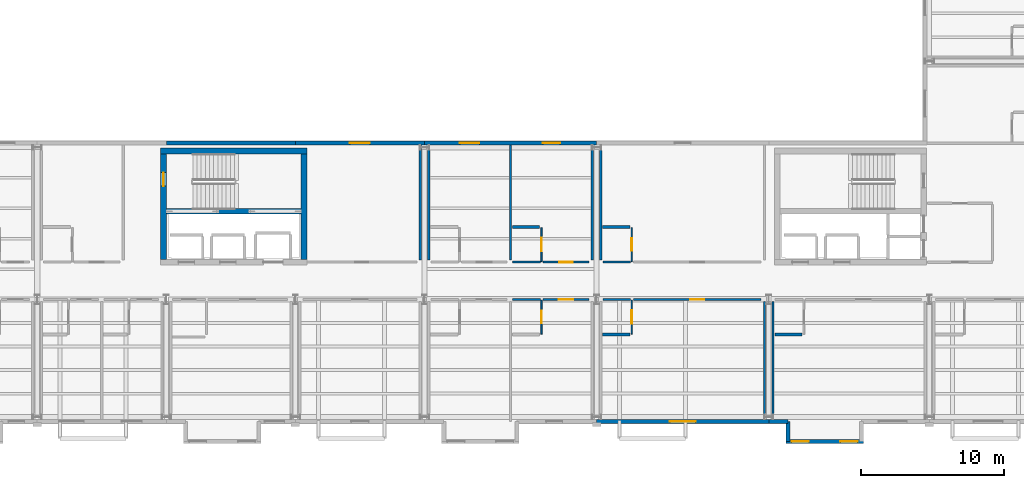
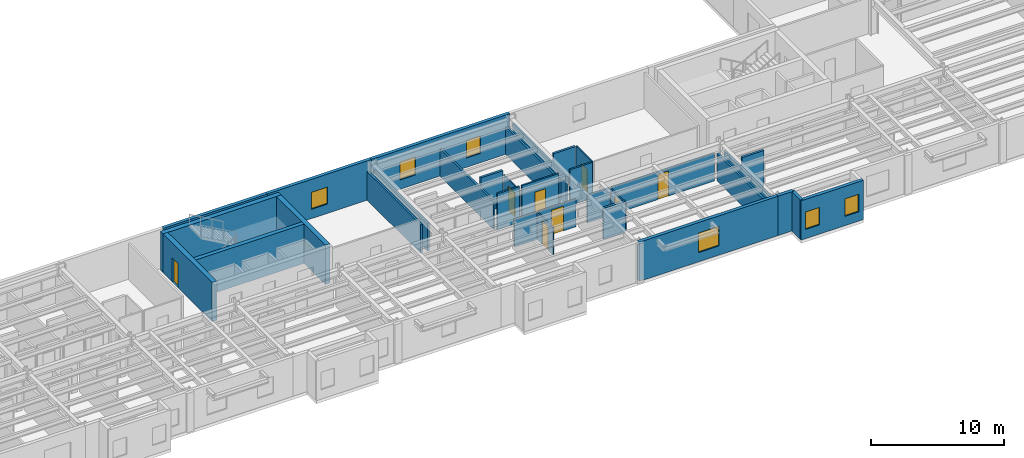
# One storey, part 17 of 27: 33 walls, 8 doors, 6 windows, 14 openings.
"""IFC4 building model written with IfcOpenShell, lengths in metres."""

from ifc_helpers import new_model, si_unit, direction, frame, frame_2d, origin, place, context, subcontext, project, spatial, rectangle, extrude, material, layer, layer_set, type_object, element, fill, save


model = new_model("IFC4")

# Units and contexts
model_context = context("Model", 3, precision=1e-05, world=origin(), true_north=direction((0.0, 1.0)))
body_context = subcontext(model_context, "Body", "Model", "MODEL_VIEW")
ifc_project = project(units=[si_unit("LENGTHUNIT", "METRE"), si_unit("AREAUNIT", "SQUARE_METRE"), si_unit("VOLUMEUNIT", "CUBIC_METRE"), si_unit("PLANEANGLEUNIT", "RADIAN"), si_unit("MASSUNIT", "GRAM", prefix="KILO")], contexts=[model_context])

# Site, building, storey
site_placement = place(None, origin())
site = spatial("IfcSite", under=ifc_project, at=site_placement, CompositionType="ELEMENT")
building_placement = place(site_placement, origin())
building = spatial("IfcBuilding", under=site, at=building_placement, Name="Sollismere Congress Hotel", CompositionType="ELEMENT")
storey_placement = place(building_placement, frame((0.0, 0.0, 27.0)))
storey = spatial("IfcBuildingStorey", under=building, at=storey_placement, Name="L06", CompositionType="ELEMENT", Elevation=27.0)

# Wall, opening, window
ifc_material_1 = material(Name="Colorado Buff Sandstone Rainscreen on Insulated Backup", Category="masonry")
ifc_layer_1 = layer(ifc_material_1, 0.284912109375, Name="Colorado Buff Sandstone Rainscreen on Insulated Backup")
ifc_layer_set_1 = layer_set([ifc_layer_1], Name="Colorado Buff Sandstone Rainscreen on Insulated Backup")
wall_type_1 = type_object("IfcWallType", Name="WL-EXT285", PredefinedType="STANDARD", material=ifc_layer_set_1)
wall_1_placement = place(storey_placement, frame((124.0, -0.31005859375, 0.0), z_axis=(0.0, 0.0, 1.0), x_axis=(1.0, 0.0, 0.0)))
wall_1 = element("IfcWall", 1, at=wall_1_placement, inside=storey, type_object=wall_type_1, Name="Exterior wall EW-L06-683", PredefinedType="STANDARD", context=body_context, shape_type="SweptSolid", body=[
    extrude(rectangle(XDim=12.0, YDim=0.284912109375, at=frame_2d((6.0, 0.0))), origin(), (0.0, 0.0, 1.0), 3.60009765625),
])
opening_1_placement = place(wall_1_placement, frame((5.10009765625, 0.0, 0.85009765625)))
opening_1 = element("IfcOpeningElement", 2, at=opening_1_placement, cuts=wall_1, Name="Opening W-L06-505", PredefinedType="OPENING", context=body_context, shape_type="SweptSolid", body=[
    extrude(rectangle(XDim=1.800048828125, YDim=1.800048828125, at=frame_2d((0.89990234375, 0.89990234375))), frame((0.0, 0.15234375, 0.0), z_axis=(0.0, -1.0, 0.0), x_axis=(1.0, 0.0, 0.0)), (0.0, 0.0, 1.0), 0.304931640625),
])
ifc_material_2 = material(Name="Thermally Broken Bronze Aluminum & Low-E Glass", Category="aluminium")
window_type_1 = type_object("IfcWindowType", Name="WN-P180x180", PartitioningType="SINGLE_PANEL", PredefinedType="WINDOW", material=ifc_material_2)
window_1_placement = place(opening_1_placement, origin())
window_1 = element("IfcWindow", 3, at=window_1_placement, inside=storey, type_object=window_type_1, Name="WIN-W-L06-505", OverallHeight=1.800048828125, OverallWidth=1.800048828125, PartitioningType="SINGLE_PANEL", PredefinedType="WINDOW", context=body_context, shape_type="SweptSolid", body=[
    extrude(rectangle(XDim=1.800048828125, YDim=1.800048828125, at=frame_2d((0.89990234375, 0.89990234375))), frame((0.0, 0.030029296875, 0.0), z_axis=(0.0, -1.0, 0.0), x_axis=(1.0, 0.0, 0.0)), (0.0, 0.0, 1.0), 0.06005859375),
])
fill(opening_1, window_1)

# Wall
wall_2_placement = place(storey_placement, frame((136.0, -0.31005859375, 0.0), z_axis=(0.0, 0.0, 1.0), x_axis=(1.0, 0.0, 0.0)))
element("IfcWall", 4, at=wall_2_placement, inside=storey, type_object=wall_type_1, Name="Exterior wall EW-L06-685", PredefinedType="STANDARD", context=body_context, shape_type="SweptSolid", body=[
    extrude(rectangle(XDim=1.340087890625, YDim=0.284912109375, at=frame_2d((0.669921875, 0.0))), origin(), (0.0, 0.0, 1.0), 3.60009765625),
])

# Wall, openings, windows
wall_3_placement = place(storey_placement, frame((137.199951171875, -1.699951171875, 0.0), z_axis=(0.0, 0.0, 1.0), x_axis=(1.0, 0.0, 0.0)))
wall_3 = element("IfcWall", 5, at=wall_3_placement, inside=storey, type_object=wall_type_1, Name="Exterior wall EW-L06-687", PredefinedType="STANDARD", context=body_context, shape_type="SweptSolid", body=[
    extrude(rectangle(XDim=5.400146484375, YDim=0.284912109375, at=frame_2d((2.7001953125, 0.0))), origin(), (0.0, 0.0, 1.0), 3.60009765625),
])
opening_2_placement = place(wall_3_placement, frame((0.39990234375, 0.0, 0.85009765625)))
opening_2 = element("IfcOpeningElement", 6, at=opening_2_placement, cuts=wall_3, Name="Opening W-L06-507", PredefinedType="OPENING", context=body_context, shape_type="SweptSolid", body=[
    extrude(rectangle(XDim=1.199951171875, YDim=1.60009765625, at=frame_2d((0.60009765625, 0.800048828125))), frame((0.0, 0.15234375, 0.0), z_axis=(0.0, -1.0, 0.0), x_axis=(1.0, 0.0, 0.0)), (0.0, 0.0, 1.0), 0.304931640625),
])
opening_3_placement = place(wall_3_placement, frame((3.800048828125, 0.0, 0.85009765625)))
opening_3 = element("IfcOpeningElement", 7, at=opening_3_placement, cuts=wall_3, Name="Opening W-L06-508", PredefinedType="OPENING", context=body_context, shape_type="SweptSolid", body=[
    extrude(rectangle(XDim=1.199951171875, YDim=1.60009765625, at=frame_2d((0.60009765625, 0.800048828125))), frame((0.0, 0.15234375, 0.0), z_axis=(0.0, -1.0, 0.0), x_axis=(1.0, 0.0, 0.0)), (0.0, 0.0, 1.0), 0.304931640625),
])
window_type_2 = type_object("IfcWindowType", Name="WN-P120x160", PartitioningType="SINGLE_PANEL", PredefinedType="WINDOW", material=ifc_material_2)
window_2_placement = place(opening_2_placement, origin())
window_2 = element("IfcWindow", 8, at=window_2_placement, inside=storey, type_object=window_type_2, Name="WIN-W-L06-507", OverallHeight=1.60009765625, OverallWidth=1.199951171875, PartitioningType="SINGLE_PANEL", PredefinedType="WINDOW", context=body_context, shape_type="SweptSolid", body=[
    extrude(rectangle(XDim=1.199951171875, YDim=1.60009765625, at=frame_2d((0.60009765625, 0.800048828125))), frame((0.0, 0.030029296875, 0.0), z_axis=(0.0, -1.0, 0.0), x_axis=(1.0, 0.0, 0.0)), (0.0, 0.0, 1.0), 0.06005859375),
])
fill(opening_2, window_2)
window_3_placement = place(opening_3_placement, origin())
window_3 = element("IfcWindow", 9, at=window_3_placement, inside=storey, type_object=window_type_2, Name="WIN-W-L06-508", OverallHeight=1.60009765625, OverallWidth=1.199951171875, PartitioningType="SINGLE_PANEL", PredefinedType="WINDOW", context=body_context, shape_type="SweptSolid", body=[
    extrude(rectangle(XDim=1.199951171875, YDim=1.60009765625, at=frame_2d((0.60009765625, 0.800048828125))), frame((0.0, 0.030029296875, 0.0), z_axis=(0.0, -1.0, 0.0), x_axis=(1.0, 0.0, 0.0)), (0.0, 0.0, 1.0), 0.06005859375),
])
fill(opening_3, window_3)

# Walls
wall_4_placement = place(storey_placement, frame((137.340087890625, -0.31005859375, 0.0), z_axis=(0.0, 0.0, 1.0), x_axis=(0.0, -1.0, 0.0)))
element("IfcWall", 10, at=wall_4_placement, inside=storey, type_object=wall_type_1, Name="Exterior wall EW-L06-688", PredefinedType="STANDARD", context=body_context, shape_type="SweptSolid", body=[
    extrude(rectangle(XDim=1.389892578125, YDim=0.284912109375, at=frame_2d((0.69482421875, 0.0))), origin(), (0.0, 0.0, 1.0), 3.60009765625),
])
wall_5_placement = place(storey_placement, frame((103.0, 19.110107421875, 0.0), z_axis=(0.0, 0.0, 1.0), x_axis=(-1.0, 0.0, 0.0)))
element("IfcWall", 11, at=wall_5_placement, inside=storey, type_object=wall_type_1, Name="Exterior wall EW-L06-723", PredefinedType="STANDARD", context=body_context, shape_type="SweptSolid", body=[
    extrude(rectangle(XDim=9.0, YDim=0.284912109375, at=frame_2d((4.5, 0.0))), origin(), (0.0, 0.0, 1.0), 3.60009765625),
])

# Wall, opening, window
wall_6_placement = place(storey_placement, frame((112.0, 19.110107421875, 0.0), z_axis=(0.0, 0.0, 1.0), x_axis=(-1.0, 0.0, 0.0)))
wall_6 = element("IfcWall", 12, at=wall_6_placement, inside=storey, type_object=wall_type_1, Name="Exterior wall EW-L06-724", PredefinedType="STANDARD", context=body_context, shape_type="SweptSolid", body=[
    extrude(rectangle(XDim=9.0, YDim=0.284912109375, at=frame_2d((4.5, 0.0))), origin(), (0.0, 0.0, 1.0), 3.60009765625),
])
opening_4_placement = place(wall_6_placement, frame((3.800048828125, 0.0, 0.85009765625)))
opening_4 = element("IfcOpeningElement", 13, at=opening_4_placement, cuts=wall_6, Name="Opening W-L06-528", PredefinedType="OPENING", context=body_context, shape_type="SweptSolid", body=[
    extrude(rectangle(XDim=1.39990234375, YDim=1.550048828125, at=frame_2d((0.699951171875, 0.77490234375))), frame((0.0, 0.15234375, 0.0), z_axis=(0.0, -1.0, 0.0), x_axis=(1.0, 0.0, 0.0)), (0.0, 0.0, 1.0), 0.304931640625),
])
window_type_3 = type_object("IfcWindowType", Name="WN-P140x155", PartitioningType="SINGLE_PANEL", PredefinedType="WINDOW", material=ifc_material_2)
window_4_placement = place(opening_4_placement, origin())
window_4 = element("IfcWindow", 14, at=window_4_placement, inside=storey, type_object=window_type_3, Name="WIN-W-L06-528", OverallHeight=1.550048828125, OverallWidth=1.39990234375, PartitioningType="SINGLE_PANEL", PredefinedType="WINDOW", context=body_context, shape_type="SweptSolid", body=[
    extrude(rectangle(XDim=1.39990234375, YDim=1.550048828125, at=frame_2d((0.699951171875, 0.77490234375))), frame((0.0, 0.030029296875, 0.0), z_axis=(0.0, -1.0, 0.0), x_axis=(1.0, 0.0, 0.0)), (0.0, 0.0, 1.0), 0.06005859375),
])
fill(opening_4, window_4)

# Wall, openings, windows
wall_7_placement = place(storey_placement, frame((124.0, 19.110107421875, 0.0), z_axis=(0.0, 0.0, 1.0), x_axis=(-1.0, 0.0, 0.0)))
wall_7 = element("IfcWall", 15, at=wall_7_placement, inside=storey, type_object=wall_type_1, Name="Exterior wall EW-L06-725", PredefinedType="STANDARD", context=body_context, shape_type="SweptSolid", body=[
    extrude(rectangle(XDim=12.0, YDim=0.284912109375, at=frame_2d((6.0, 0.0))), origin(), (0.0, 0.0, 1.0), 3.60009765625),
])
opening_5_placement = place(wall_7_placement, frame((8.175048828125, 0.0, 0.85009765625)))
opening_5 = element("IfcOpeningElement", 16, at=opening_5_placement, cuts=wall_7, Name="Opening W-L06-529", PredefinedType="OPENING", context=body_context, shape_type="SweptSolid", body=[
    extrude(rectangle(XDim=1.35009765625, YDim=1.64990234375, at=frame_2d((0.675048828125, 0.824951171875))), frame((0.0, 0.15234375, 0.0), z_axis=(0.0, -1.0, 0.0), x_axis=(1.0, 0.0, 0.0)), (0.0, 0.0, 1.0), 0.304931640625),
])
opening_6_placement = place(wall_7_placement, frame((2.550048828125, 0.0, 0.85009765625)))
opening_6 = element("IfcOpeningElement", 17, at=opening_6_placement, cuts=wall_7, Name="Opening W-L06-530", PredefinedType="OPENING", context=body_context, shape_type="SweptSolid", body=[
    extrude(rectangle(XDim=1.199951171875, YDim=1.60009765625, at=frame_2d((0.60009765625, 0.800048828125))), frame((0.0, 0.15234375, 0.0), z_axis=(0.0, -1.0, 0.0), x_axis=(1.0, 0.0, 0.0)), (0.0, 0.0, 1.0), 0.304931640625),
])
window_5_placement = place(opening_6_placement, origin())
window_5 = element("IfcWindow", 18, at=window_5_placement, inside=storey, type_object=window_type_2, Name="WIN-W-L06-530", OverallHeight=1.60009765625, OverallWidth=1.199951171875, PartitioningType="SINGLE_PANEL", PredefinedType="WINDOW", context=body_context, shape_type="SweptSolid", body=[
    extrude(rectangle(XDim=1.199951171875, YDim=1.60009765625, at=frame_2d((0.60009765625, 0.800048828125))), frame((0.0, 0.030029296875, 0.0), z_axis=(0.0, -1.0, 0.0), x_axis=(1.0, 0.0, 0.0)), (0.0, 0.0, 1.0), 0.06005859375),
])
fill(opening_6, window_5)
window_type_4 = type_object("IfcWindowType", Name="WN-P135x165", PartitioningType="SINGLE_PANEL", PredefinedType="WINDOW", material=ifc_material_2)
window_6_placement = place(opening_5_placement, origin())
window_6 = element("IfcWindow", 19, at=window_6_placement, inside=storey, type_object=window_type_4, Name="WIN-W-L06-529", OverallHeight=1.64990234375, OverallWidth=1.35009765625, PartitioningType="SINGLE_PANEL", PredefinedType="WINDOW", context=body_context, shape_type="SweptSolid", body=[
    extrude(rectangle(XDim=1.35009765625, YDim=1.64990234375, at=frame_2d((0.675048828125, 0.824951171875))), frame((0.0, 0.030029296875, 0.0), z_axis=(0.0, -1.0, 0.0), x_axis=(1.0, 0.0, 0.0)), (0.0, 0.0, 1.0), 0.06005859375),
])
fill(opening_5, window_6)

# Walls
ifc_material_3 = material(Name="Moisture-Resistant Shaft Gypsum Assembly")
ifc_layer_2 = layer(ifc_material_3, 0.199951171875, Name="Moisture-Resistant Shaft Gypsum Assembly")
ifc_layer_set_2 = layer_set([ifc_layer_2], Name="Moisture-Resistant Shaft Gypsum Assembly")
wall_type_2 = type_object("IfcWallType", Name="WL-PLM200", PredefinedType="PLUMBINGWALL", material=ifc_layer_set_2)
wall_8_placement = place(storey_placement, frame((118.1201171875, 13.25, 0.0), z_axis=(0.0, 0.0, 1.0), x_axis=(1.0, 0.0, 0.0)))
element("IfcWall", 20, at=wall_8_placement, inside=storey, type_object=wall_type_2, Name="Interior wall IW-L06-2099", PredefinedType="PLUMBINGWALL", context=body_context, shape_type="SweptSolid", body=[
    extrude(rectangle(XDim=1.909912109375, YDim=0.199951171875, at=frame_2d((0.955078125, 0.0))), origin(), (0.0, 0.0, 1.0), 3.2900390625),
])
wall_9_placement = place(storey_placement, frame((124.419921875, 5.75, 0.0), z_axis=(0.0, 0.0, 1.0), x_axis=(1.0, 0.0, 0.0)))
element("IfcWall", 21, at=wall_9_placement, inside=storey, type_object=wall_type_2, Name="Interior wall IW-L06-2105", PredefinedType="PLUMBINGWALL", context=body_context, shape_type="SweptSolid", body=[
    extrude(rectangle(XDim=1.91015625, YDim=0.199951171875, at=frame_2d((0.955078125, 0.0))), origin(), (0.0, 0.0, 1.0), 2.843017578125),
])
for number, where, z_axis, x_axis, name in (
    (22, (124.419921875, 13.25, 0.0), (0.0, 0.0, 1.0), (1.0, 0.0, 0.0), "Interior wall IW-L06-2111"),
    (23, (136.419921875, 5.75, 0.0), (0.0, 0.0, 1.0), (1.0, 0.0, 0.0), "Interior wall IW-L06-2117"),
):
    element("IfcWall", number, at=place(storey_placement, frame(where, z_axis=z_axis, x_axis=x_axis)), inside=storey, type_object=wall_type_2, Name=name, PredefinedType="PLUMBINGWALL", context=body_context, shape_type="SweptSolid", body=[
        extrude(rectangle(XDim=1.91015625, YDim=0.199951171875, at=frame_2d((0.955078125, 0.0))), origin(), (0.0, 0.0, 1.0), 3.2900390625),
    ])

# Wall, opening, door
ifc_material_4 = material(Name="Moisture-Resistant Gypsum Partition")
ifc_layer_3 = layer(ifc_material_4, 0.10009765625, Name="Moisture-Resistant Gypsum Partition")
ifc_layer_set_3 = layer_set([ifc_layer_3], Name="Moisture-Resistant Gypsum Partition")
wall_type_3 = type_object("IfcWallType", Name="WL-PRT100", PredefinedType="PARTITIONING", material=ifc_layer_set_3)
wall_10_placement = place(storey_placement, frame((120.14990234375, 5.7900390625, 0.0), z_axis=(0.0, 0.0, 1.0), x_axis=(0.0, 1.0, 0.0)))
wall_10 = element("IfcWall", 24, at=wall_10_placement, inside=storey, type_object=wall_type_3, Name="Interior wall IW-L06-2087", PredefinedType="PARTITIONING", context=body_context, shape_type="SweptSolid", body=[
    extrude(rectangle(XDim=2.369873046875, YDim=0.10009765625, at=frame_2d((1.18505859375, 0.0))), origin(), (0.0, 0.0, 1.0), 2.528076171875),
])
opening_7_placement = place(wall_10_placement, frame((0.7451171875, 0.0, 0.0)))
opening_7 = element("IfcOpeningElement", 25, at=opening_7_placement, cuts=wall_10, Name="Opening D-L06-0737", PredefinedType="OPENING", context=body_context, shape_type="SweptSolid", body=[
    extrude(rectangle(XDim=0.8798828125, YDim=2.179931640625, at=frame_2d((0.43994140625, 1.08984375))), frame((0.0, 0.06005859375, 0.0), z_axis=(0.0, -1.0, 0.0), x_axis=(1.0, 0.0, 0.0)), (0.0, 0.0, 1.0), 0.1201171875),
])
ifc_material_5 = material(Name="Moisture-Sealed Timber Bathroom Door", Category="wood")
door_type_1 = type_object("IfcDoorType", Name="DR-BT05", OperationType="NOTDEFINED", PredefinedType="DOOR", material=ifc_material_5)
door_1_placement = place(opening_7_placement, origin())
door_1 = element("IfcDoor", 26, at=door_1_placement, inside=storey, type_object=door_type_1, Name="En-suite bathroom door D-L06-0737", OperationType="SINGLE_SWING_RIGHT", OverallHeight=2.179931640625, OverallWidth=0.8798828125, PredefinedType="DOOR", context=body_context, shape_type="SweptSolid", body=[
    extrude(rectangle(XDim=0.8798828125, YDim=2.179931640625, at=frame_2d((0.43994140625, 1.08984375))), frame((0.0, 0.02490234375, 0.0), z_axis=(0.0, -1.0, 0.0), x_axis=(1.0, 0.0, 0.0)), (0.0, 0.0, 1.0), 0.050048828125),
])
fill(opening_7, door_1)

wall_11_placement = place(storey_placement, frame((120.14990234375, 10.840087890625, 0.0), z_axis=(0.0, 0.0, 1.0), x_axis=(0.0, 1.0, 0.0)))
wall_11 = element("IfcWall", 27, at=wall_11_placement, inside=storey, type_object=wall_type_3, Name="Interior wall IW-L06-2098", PredefinedType="PARTITIONING", context=body_context, shape_type="SweptSolid", body=[
    extrude(rectangle(XDim=2.369873046875, YDim=0.10009765625, at=frame_2d((1.18505859375, 0.0))), origin(), (0.0, 0.0, 1.0), 2.847900390625),
])
opening_8_placement = place(wall_11_placement, frame((0.719970703125, 0.0, 0.0)))
opening_8 = element("IfcOpeningElement", 28, at=opening_8_placement, cuts=wall_11, Name="Opening D-L06-0741", PredefinedType="OPENING", context=body_context, shape_type="SweptSolid", body=[
    extrude(rectangle(XDim=0.929931640625, YDim=2.219970703125, at=frame_2d((0.46484375, 1.10986328125))), frame((0.0, 0.06005859375, 0.0), z_axis=(0.0, -1.0, 0.0), x_axis=(1.0, 0.0, 0.0)), (0.0, 0.0, 1.0), 0.1201171875),
])
door_type_2 = type_object("IfcDoorType", Name="DR-BT07", OperationType="NOTDEFINED", PredefinedType="DOOR", material=ifc_material_5)
door_2_placement = place(opening_8_placement, origin())
door_2 = element("IfcDoor", 29, at=door_2_placement, inside=storey, type_object=door_type_2, Name="En-suite bathroom door D-L06-0741", OperationType="SINGLE_SWING_RIGHT", OverallHeight=2.219970703125, OverallWidth=0.929931640625, PredefinedType="DOOR", context=body_context, shape_type="SweptSolid", body=[
    extrude(rectangle(XDim=0.929931640625, YDim=2.219970703125, at=frame_2d((0.46484375, 1.10986328125))), frame((0.0, 0.02490234375, 0.0), z_axis=(0.0, -1.0, 0.0), x_axis=(1.0, 0.0, 0.0)), (0.0, 0.0, 1.0), 0.050048828125),
])
fill(opening_8, door_2)

wall_12_placement = place(storey_placement, frame((126.449951171875, 5.7900390625, 0.0), z_axis=(0.0, 0.0, 1.0), x_axis=(0.0, 1.0, 0.0)))
wall_12 = element("IfcWall", 30, at=wall_12_placement, inside=storey, type_object=wall_type_3, Name="Interior wall IW-L06-2104", PredefinedType="PARTITIONING", context=body_context, shape_type="SweptSolid", body=[
    extrude(rectangle(XDim=2.369873046875, YDim=0.10009765625, at=frame_2d((1.18505859375, 0.0))), origin(), (0.0, 0.0, 1.0), 2.528076171875),
])
opening_9_placement = place(wall_12_placement, frame((0.7080078125, 0.0, 0.0)))
opening_9 = element("IfcOpeningElement", 31, at=opening_9_placement, cuts=wall_12, Name="Opening D-L06-0743", PredefinedType="OPENING", context=body_context, shape_type="SweptSolid", body=[
    extrude(rectangle(XDim=0.955078125, YDim=2.219970703125, at=frame_2d((0.4775390625, 1.10986328125))), frame((0.0, 0.06005859375, 0.0), z_axis=(0.0, -1.0, 0.0), x_axis=(1.0, 0.0, 0.0)), (0.0, 0.0, 1.0), 0.1201171875),
])
door_type_3 = type_object("IfcDoorType", Name="DR-BT08", OperationType="NOTDEFINED", PredefinedType="DOOR", material=ifc_material_5)
door_3_placement = place(opening_9_placement, origin())
door_3 = element("IfcDoor", 32, at=door_3_placement, inside=storey, type_object=door_type_3, Name="En-suite bathroom door D-L06-0743", OperationType="SINGLE_SWING_RIGHT", OverallHeight=2.219970703125, OverallWidth=0.955078125, PredefinedType="DOOR", context=body_context, shape_type="SweptSolid", body=[
    extrude(rectangle(XDim=0.955078125, YDim=2.219970703125, at=frame_2d((0.4775390625, 1.10986328125))), frame((0.0, 0.02490234375, 0.0), z_axis=(0.0, -1.0, 0.0), x_axis=(1.0, 0.0, 0.0)), (0.0, 0.0, 1.0), 0.050048828125),
])
fill(opening_9, door_3)

wall_13_placement = place(storey_placement, frame((126.449951171875, 10.840087890625, 0.0), z_axis=(0.0, 0.0, 1.0), x_axis=(0.0, 1.0, 0.0)))
wall_13 = element("IfcWall", 33, at=wall_13_placement, inside=storey, type_object=wall_type_3, Name="Interior wall IW-L06-2110", PredefinedType="PARTITIONING", context=body_context, shape_type="SweptSolid", body=[
    extrude(rectangle(XDim=2.369873046875, YDim=0.10009765625, at=frame_2d((1.18505859375, 0.0))), origin(), (0.0, 0.0, 1.0), 3.2900390625),
])
opening_10_placement = place(wall_13_placement, frame((0.7451171875, 0.0, 0.0)))
opening_10 = element("IfcOpeningElement", 34, at=opening_10_placement, cuts=wall_13, Name="Opening D-L06-0745", PredefinedType="OPENING", context=body_context, shape_type="SweptSolid", body=[
    extrude(rectangle(XDim=0.8798828125, YDim=2.10009765625, at=frame_2d((0.43994140625, 1.050048828125))), frame((0.0, 0.06005859375, 0.0), z_axis=(0.0, -1.0, 0.0), x_axis=(1.0, 0.0, 0.0)), (0.0, 0.0, 1.0), 0.1201171875),
])
door_type_4 = type_object("IfcDoorType", Name="DR-BT01", OperationType="NOTDEFINED", PredefinedType="DOOR", material=ifc_material_5)
door_4_placement = place(opening_10_placement, origin())
door_4 = element("IfcDoor", 35, at=door_4_placement, inside=storey, type_object=door_type_4, Name="En-suite bathroom door D-L06-0745", OperationType="SINGLE_SWING_RIGHT", OverallHeight=2.10009765625, OverallWidth=0.8798828125, PredefinedType="DOOR", context=body_context, shape_type="SweptSolid", body=[
    extrude(rectangle(XDim=0.8798828125, YDim=2.10009765625, at=frame_2d((0.43994140625, 1.050048828125))), frame((0.0, 0.02490234375, 0.0), z_axis=(0.0, -1.0, 0.0), x_axis=(1.0, 0.0, 0.0)), (0.0, 0.0, 1.0), 0.050048828125),
])
fill(opening_10, door_4)

# Wall
ifc_material_6 = material(Name="Fire-Rated Gypsum Partition")
ifc_layer_4 = layer(ifc_material_6, 0.139892578125, Name="Fire-Rated Gypsum Partition")
ifc_layer_set_4 = layer_set([ifc_layer_4], Name="Fire-Rated Gypsum Partition")
wall_type_4 = type_object("IfcWallType", Name="WL-PRT140R", PredefinedType="PARTITIONING", material=ifc_layer_set_4)
wall_14_placement = place(storey_placement, frame((118.139892578125, 8.199951171875, 0.0), z_axis=(0.0, 0.0, 1.0), x_axis=(1.0, 0.0, 0.0)))
element("IfcWall", 36, at=wall_14_placement, inside=storey, type_object=wall_type_4, Name="Interior wall IW-L06-2084", PredefinedType="PARTITIONING", context=body_context, shape_type="SweptSolid", body=[
    extrude(rectangle(XDim=1.93017578125, YDim=0.139892578125, at=frame_2d((0.965087890625, 0.0))), origin(), (0.0, 0.0, 1.0), 2.528076171875),
])

# Wall, opening, door
wall_15_placement = place(storey_placement, frame((120.27001953125, 8.199951171875, 0.0), z_axis=(0.0, 0.0, 1.0), x_axis=(1.0, 0.0, 0.0)))
wall_15 = element("IfcWall", 37, at=wall_15_placement, inside=storey, type_object=wall_type_4, Name="Interior wall IW-L06-2085", PredefinedType="PARTITIONING", context=body_context, shape_type="SweptSolid", body=[
    extrude(rectangle(XDim=3.18994140625, YDim=0.139892578125, at=frame_2d((1.594970703125, 0.0))), origin(), (0.0, 0.0, 1.0), 2.528076171875),
])
opening_11_placement = place(wall_15_placement, frame((1.074951171875, 0.0, 0.0)))
opening_11 = element("IfcOpeningElement", 38, at=opening_11_placement, cuts=wall_15, Name="Opening D-L06-0736", PredefinedType="OPENING", context=body_context, shape_type="SweptSolid", body=[
    extrude(rectangle(XDim=1.0400390625, YDim=2.25, at=frame_2d((0.52001953125, 1.125))), frame((0.0, 0.079833984375, 0.0), z_axis=(0.0, -1.0, 0.0), x_axis=(1.0, 0.0, 0.0)), (0.0, 0.0, 1.0), 0.159912109375),
])
ifc_material_7 = material(Name="Solid-Core Acoustic Walnut Guestroom Entry Door")
door_type_5 = type_object("IfcDoorType", Name="DR-KY05", OperationType="NOTDEFINED", PredefinedType="DOOR", material=ifc_material_7)
door_5_placement = place(opening_11_placement, origin())
door_5 = element("IfcDoor", 39, at=door_5_placement, inside=storey, type_object=door_type_5, Name="Hotel room entry door D-L06-0736", OperationType="SINGLE_SWING_LEFT", OverallHeight=2.25, OverallWidth=1.0400390625, PredefinedType="DOOR", context=body_context, shape_type="SweptSolid", body=[
    extrude(rectangle(XDim=1.0400390625, YDim=2.25, at=frame_2d((0.52001953125, 1.125))), frame((0.0, 0.02490234375, 0.0), z_axis=(0.0, -1.0, 0.0), x_axis=(1.0, 0.0, 0.0)), (0.0, 0.0, 1.0), 0.050048828125),
])
fill(opening_11, door_5)

# Wall
wall_16_placement = place(storey_placement, frame((118.139892578125, 10.800048828125, 0.0), z_axis=(0.0, 0.0, 1.0), x_axis=(1.0, 0.0, 0.0)))
element("IfcWall", 40, at=wall_16_placement, inside=storey, type_object=wall_type_4, Name="Interior wall IW-L06-2095", PredefinedType="PARTITIONING", context=body_context, shape_type="SweptSolid", body=[
    extrude(rectangle(XDim=1.93017578125, YDim=0.139892578125, at=frame_2d((0.965087890625, 0.0))), origin(), (0.0, 0.0, 1.0), 3.2900390625),
])

# Wall, opening, door
wall_17_placement = place(storey_placement, frame((120.27001953125, 10.800048828125, 0.0), z_axis=(0.0, 0.0, 1.0), x_axis=(1.0, 0.0, 0.0)))
wall_17 = element("IfcWall", 41, at=wall_17_placement, inside=storey, type_object=wall_type_4, Name="Interior wall IW-L06-2096", PredefinedType="PARTITIONING", context=body_context, shape_type="SweptSolid", body=[
    extrude(rectangle(XDim=3.18994140625, YDim=0.139892578125, at=frame_2d((1.594970703125, 0.0))), origin(), (0.0, 0.0, 1.0), 3.2900390625),
])
opening_12_placement = place(wall_17_placement, frame((1.135009765625, 0.0, 0.0)))
opening_12 = element("IfcOpeningElement", 42, at=opening_12_placement, cuts=wall_17, Name="Opening D-L06-0740", PredefinedType="OPENING", context=body_context, shape_type="SweptSolid", body=[
    extrude(rectangle(XDim=0.919921875, YDim=2.300048828125, at=frame_2d((0.4599609375, 1.14990234375))), frame((0.0, 0.079833984375, 0.0), z_axis=(0.0, -1.0, 0.0), x_axis=(1.0, 0.0, 0.0)), (0.0, 0.0, 1.0), 0.159912109375),
])
door_type_6 = type_object("IfcDoorType", Name="DR-KY07", OperationType="NOTDEFINED", PredefinedType="DOOR", material=ifc_material_7)
door_6_placement = place(opening_12_placement, origin())
door_6 = element("IfcDoor", 43, at=door_6_placement, inside=storey, type_object=door_type_6, Name="Hotel room entry door D-L06-0740", OperationType="SINGLE_SWING_LEFT", OverallHeight=2.300048828125, OverallWidth=0.919921875, PredefinedType="DOOR", context=body_context, shape_type="SweptSolid", body=[
    extrude(rectangle(XDim=0.919921875, YDim=2.300048828125, at=frame_2d((0.4599609375, 1.14990234375))), frame((0.0, 0.02490234375, 0.0), z_axis=(0.0, -1.0, 0.0), x_axis=(1.0, 0.0, 0.0)), (0.0, 0.0, 1.0), 0.050048828125),
])
fill(opening_12, door_6)

# Wall
wall_18_placement = place(storey_placement, frame((124.43994140625, 8.199951171875, 0.0), z_axis=(0.0, 0.0, 1.0), x_axis=(1.0, 0.0, 0.0)))
element("IfcWall", 44, at=wall_18_placement, inside=storey, type_object=wall_type_4, Name="Interior wall IW-L06-2100", PredefinedType="PARTITIONING", context=body_context, shape_type="SweptSolid", body=[
    extrude(rectangle(XDim=1.93017578125, YDim=0.139892578125, at=frame_2d((0.965087890625, 0.0))), origin(), (0.0, 0.0, 1.0), 2.528076171875),
])

# Wall, opening, door
wall_19_placement = place(storey_placement, frame((126.570068359375, 8.199951171875, 0.0), z_axis=(0.0, 0.0, 1.0), x_axis=(1.0, 0.0, 0.0)))
wall_19 = element("IfcWall", 45, at=wall_19_placement, inside=storey, type_object=wall_type_4, Name="Interior wall IW-L06-2101", PredefinedType="PARTITIONING", context=body_context, shape_type="SweptSolid", body=[
    extrude(rectangle(XDim=8.889892578125, YDim=0.139892578125, at=frame_2d((4.44482421875, 0.0))), origin(), (0.0, 0.0, 1.0), 2.528076171875),
])
opening_13_placement = place(wall_19_placement, frame((3.969970703125, 0.0, 0.0)))
opening_13 = element("IfcOpeningElement", 46, at=opening_13_placement, cuts=wall_19, Name="Opening D-L06-0742", PredefinedType="OPENING", context=body_context, shape_type="SweptSolid", body=[
    extrude(rectangle(XDim=0.949951171875, YDim=2.300048828125, at=frame_2d((0.47509765625, 1.14990234375))), frame((0.0, 0.079833984375, 0.0), z_axis=(0.0, -1.0, 0.0), x_axis=(1.0, 0.0, 0.0)), (0.0, 0.0, 1.0), 0.159912109375),
])
door_type_7 = type_object("IfcDoorType", Name="DR-KY08", OperationType="NOTDEFINED", PredefinedType="DOOR", material=ifc_material_7)
door_7_placement = place(opening_13_placement, origin())
door_7 = element("IfcDoor", 47, at=door_7_placement, inside=storey, type_object=door_type_7, Name="Hotel room entry door D-L06-0742", OperationType="SINGLE_SWING_LEFT", OverallHeight=2.300048828125, OverallWidth=0.949951171875, PredefinedType="DOOR", context=body_context, shape_type="SweptSolid", body=[
    extrude(rectangle(XDim=0.949951171875, YDim=2.300048828125, at=frame_2d((0.47509765625, 1.14990234375))), frame((0.0, 0.02490234375, 0.0), z_axis=(0.0, -1.0, 0.0), x_axis=(1.0, 0.0, 0.0)), (0.0, 0.0, 1.0), 0.050048828125),
])
fill(opening_13, door_7)

# Walls
wall_20_placement = place(storey_placement, frame((124.43994140625, 10.800048828125, 0.0), z_axis=(0.0, 0.0, 1.0), x_axis=(1.0, 0.0, 0.0)))
element("IfcWall", 48, at=wall_20_placement, inside=storey, type_object=wall_type_4, Name="Interior wall IW-L06-2106", PredefinedType="PARTITIONING", context=body_context, shape_type="SweptSolid", body=[
    extrude(rectangle(XDim=1.93017578125, YDim=0.139892578125, at=frame_2d((0.965087890625, 0.0))), origin(), (0.0, 0.0, 1.0), 3.2900390625),
])
ifc_material_8 = material(Name="Fire-Rated Acoustic Gypsum Partition")
ifc_layer_5 = layer(ifc_material_8, 0.1650390625, Name="Fire-Rated Acoustic Gypsum Partition")
ifc_layer_set_5 = layer_set([ifc_layer_5], Name="Fire-Rated Acoustic Gypsum Partition")
wall_type_5 = type_object("IfcWallType", Name="WL-PRT165R", PredefinedType="PARTITIONING", material=ifc_layer_set_5)
for number, where, z_axis, x_axis, name in (
    (49, (112.300048828125, 10.93994140625, 0.0), (0.0, 0.0, 1.0), (0.0, 1.0, 0.0), "Interior wall IW-L06-2091"),
    (50, (118.0, 10.93994140625, 0.0), (0.0, 0.0, 1.0), (0.0, 1.0, 0.0), "Interior wall IW-L06-2092"),
    (51, (123.699951171875, 10.93994140625, 0.0), (0.0, 0.0, 1.0), (0.0, 1.0, 0.0), "Interior wall IW-L06-2097"),
):
    element("IfcWall", number, at=place(storey_placement, frame(where, z_axis=z_axis, x_axis=x_axis)), inside=storey, type_object=wall_type_5, Name=name, PredefinedType="PARTITIONING", context=body_context, shape_type="SweptSolid", body=[
        extrude(rectangle(XDim=8.012451171875, YDim=0.1650390625, at=frame_2d((4.00634765625, 0.0))), origin(), (0.0, 0.0, 1.0), 2.528076171875),
    ])
wall_21_placement = place(storey_placement, frame((135.699951171875, -0.152587890625, 0.0), z_axis=(0.0, 0.0, 1.0), x_axis=(0.0, 1.0, 0.0)))
element("IfcWall", 52, at=wall_21_placement, inside=storey, type_object=wall_type_5, Name="Interior wall IW-L06-2103", PredefinedType="PARTITIONING", context=body_context, shape_type="SweptSolid", body=[
    extrude(rectangle(XDim=8.212646484375, YDim=0.1650390625, at=frame_2d((4.1064453125, 0.0))), origin(), (0.0, 0.0, 1.0), 2.528076171875),
])
wall_22_placement = place(storey_placement, frame((124.300048828125, 10.93994140625, 0.0), z_axis=(0.0, 0.0, 1.0), x_axis=(0.0, 1.0, 0.0)))
element("IfcWall", 53, at=wall_22_placement, inside=storey, type_object=wall_type_5, Name="Interior wall IW-L06-2108", PredefinedType="PARTITIONING", context=body_context, shape_type="SweptSolid", body=[
    extrude(rectangle(XDim=8.012451171875, YDim=0.1650390625, at=frame_2d((4.00634765625, 0.0))), origin(), (0.0, 0.0, 1.0), 2.618896484375),
])
wall_23_placement = place(storey_placement, frame((136.300048828125, -0.152587890625, 0.0), z_axis=(0.0, 0.0, 1.0), x_axis=(0.0, 1.0, 0.0)))
element("IfcWall", 54, at=wall_23_placement, inside=storey, type_object=wall_type_5, Name="Interior wall IW-L06-2114", PredefinedType="PARTITIONING", context=body_context, shape_type="SweptSolid", body=[
    extrude(rectangle(XDim=8.212646484375, YDim=0.1650390625, at=frame_2d((4.1064453125, 0.0))), origin(), (0.0, 0.0, 1.0), 2.528076171875),
])
wall_24_placement = place(storey_placement, frame((111.699951171875, 10.93994140625, 0.0), z_axis=(0.0, 0.0, 1.0), x_axis=(0.0, 1.0, 0.0)))
element("IfcWall", 55, at=wall_24_placement, inside=storey, type_object=wall_type_5, Name="Interior wall IW-L06-2198", PredefinedType="PARTITIONING", context=body_context, shape_type="SweptSolid", body=[
    extrude(rectangle(XDim=8.012451171875, YDim=0.1650390625, at=frame_2d((4.00634765625, 0.0))), origin(), (0.0, 0.0, 1.0), 2.618896484375),
])
ifc_material_9 = material(Name="Concrete C50/60", Category="concrete")
ifc_layer_6 = layer(ifc_material_9, 0.35009765625, Name="Concrete C50/60")
ifc_layer_set_6 = layer_set([ifc_layer_6], Name="Concrete C50/60")
wall_type_6 = type_object("IfcWallType", Name="WL-SHR350", PredefinedType="SHEAR", material=ifc_layer_set_6)
wall_25_placement = place(storey_placement, frame((94.0, 14.35009765625, 0.0), z_axis=(0.0, 0.0, 1.0), x_axis=(1.0, 0.0, 0.0)))
element("IfcWall", 56, at=wall_25_placement, inside=storey, type_object=wall_type_6, Name="Interior wall IW-L06-0304", PredefinedType="SHEAR", context=body_context, shape_type="SweptSolid", body=[
    extrude(rectangle(XDim=9.39990234375, YDim=0.35009765625, at=frame_2d((4.699951171875, 0.0))), origin(), (0.0, 0.0, 1.0), 3.60009765625),
])
ifc_layer_7 = layer(ifc_material_9, 0.39990234375, Name="Concrete C50/60")
ifc_layer_set_7 = layer_set([ifc_layer_7], Name="Concrete C50/60")
wall_type_7 = type_object("IfcWallType", Name="WL-SHR400", PredefinedType="SHEAR", material=ifc_layer_set_7)
wall_26_placement = place(storey_placement, frame((103.800048828125, 18.550048828125, 0.0), z_axis=(0.0, 0.0, 1.0), x_axis=(-1.0, 0.0, 0.0)))
element("IfcWall", 57, at=wall_26_placement, inside=storey, type_object=wall_type_7, Name="Interior wall IW-L06-0301", PredefinedType="SHEAR", context=body_context, shape_type="SweptSolid", body=[
    extrude(rectangle(XDim=10.199951171875, YDim=0.39990234375, at=frame_2d((5.10009765625, 0.0))), origin(), (0.0, 0.0, 1.0), 3.60009765625),
])

# Wall, opening, door
wall_27_placement = place(storey_placement, frame((93.800048828125, 18.35009765625, 0.0), z_axis=(0.0, 0.0, 1.0), x_axis=(0.0, -1.0, 0.0)))
wall_27 = element("IfcWall", 58, at=wall_27_placement, inside=storey, type_object=wall_type_7, Name="Interior wall IW-L06-0302", PredefinedType="SHEAR", context=body_context, shape_type="SweptSolid", body=[
    extrude(rectangle(XDim=7.35009765625, YDim=0.39990234375, at=frame_2d((3.675048828125, 0.0))), origin(), (0.0, 0.0, 1.0), 3.60009765625),
])
opening_14_placement = place(wall_27_placement, frame((1.300048828125, 0.0, 0.0)))
opening_14 = element("IfcOpeningElement", 59, at=opening_14_placement, cuts=wall_27, Name="Opening D-ST-02-L06", PredefinedType="OPENING", context=body_context, shape_type="SweptSolid", body=[
    extrude(rectangle(XDim=0.949951171875, YDim=2.199951171875, at=frame_2d((0.47509765625, 1.10009765625))), frame((0.0, 0.2099609375, 0.0), z_axis=(0.0, -1.0, 0.0), x_axis=(1.0, 0.0, 0.0)), (0.0, 0.0, 1.0), 0.419921875),
])
ifc_material_10 = material(Name="Fire-Rated Insulated Steel Door", Category="steel")
door_type_8 = type_object("IfcDoorType", Name="DR-FD90", OperationType="NOTDEFINED", PredefinedType="DOOR", material=ifc_material_10)
door_8_placement = place(opening_14_placement, origin())
door_8 = element("IfcDoor", 60, at=door_8_placement, inside=storey, type_object=door_type_8, Name="Exit stair fire door D-ST-02-L06", OperationType="SINGLE_SWING_LEFT", OverallHeight=2.199951171875, OverallWidth=0.949951171875, PredefinedType="DOOR", context=body_context, shape_type="SweptSolid", body=[
    extrude(rectangle(XDim=0.949951171875, YDim=2.199951171875, at=frame_2d((0.47509765625, 1.10009765625))), frame((0.0, 0.02490234375, 0.0), z_axis=(0.0, -1.0, 0.0), x_axis=(1.0, 0.0, 0.0)), (0.0, 0.0, 1.0), 0.050048828125),
])
fill(opening_14, door_8)

# Wall
wall_28_placement = place(storey_placement, frame((103.60009765625, 11.0, 0.0), z_axis=(0.0, 0.0, 1.0), x_axis=(0.0, 1.0, 0.0)))
element("IfcWall", 61, at=wall_28_placement, inside=storey, type_object=wall_type_7, Name="Interior wall IW-L06-0303", PredefinedType="SHEAR", context=body_context, shape_type="SweptSolid", body=[
    extrude(rectangle(XDim=7.35009765625, YDim=0.39990234375, at=frame_2d((3.675048828125, 0.0))), origin(), (0.0, 0.0, 1.0), 3.60009765625),
])

save(model, "model.ifc")
